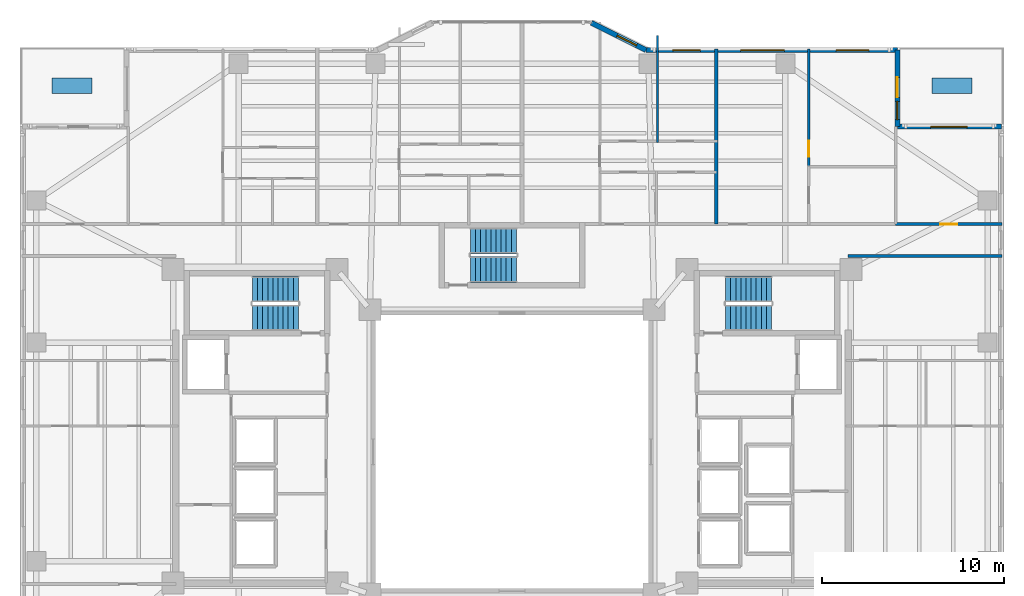
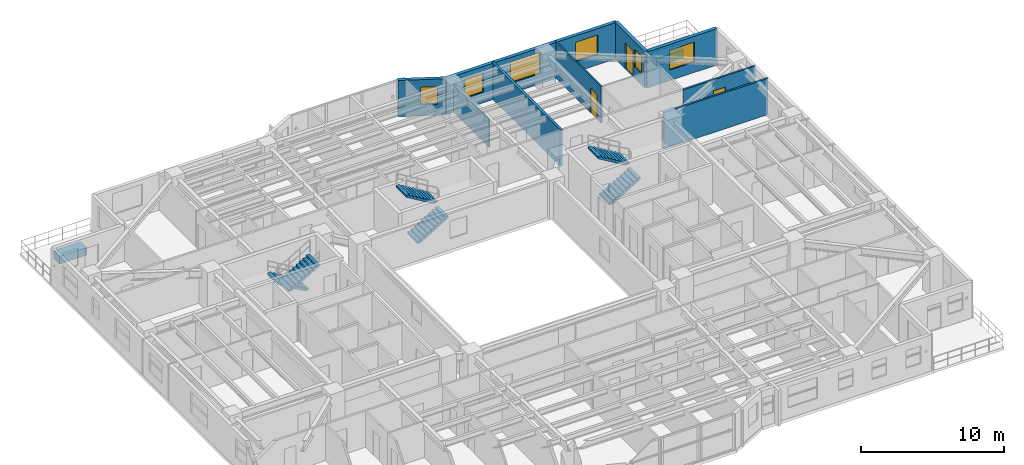
# One storey, part 12 of 19: 9 walls, 6 stair flights, 6 windows, 3 doors, 2 discrete accessories, 9 openings, 3 elements without a shape of their own.
"""IFC4 building model written with IfcOpenShell, lengths in metres."""

from ifc_helpers import new_model, si_unit, direction, frame, frame_2d, origin, origin_2d, place, context, subcontext, project, spatial, polyline, rectangle, outline, extrude, material, layer, layer_set, type_object, element, fill, aggregate, save


model = new_model("IFC4")

# Units and contexts
model_context = context("Model", 3, precision=1e-05, world=origin(), true_north=direction((0.0, 1.0)))
body_context = subcontext(model_context, "Body", "Model", "MODEL_VIEW")
ifc_project = project(units=[si_unit("LENGTHUNIT", "METRE"), si_unit("AREAUNIT", "SQUARE_METRE"), si_unit("VOLUMEUNIT", "CUBIC_METRE"), si_unit("PLANEANGLEUNIT", "RADIAN"), si_unit("MASSUNIT", "GRAM", prefix="KILO")], contexts=[model_context])

# Site, building, storey
site_placement = place(None, origin())
site = spatial("IfcSite", under=ifc_project, at=site_placement, CompositionType="ELEMENT")
building_placement = place(site_placement, origin())
building = spatial("IfcBuilding", under=site, at=building_placement, Name="Tarnavaz Court Tower", CompositionType="ELEMENT")
storey_placement = place(building_placement, frame((0.0, 0.0, 78.300048828125)))
storey = spatial("IfcBuildingStorey", under=building, at=storey_placement, Name="L20", CompositionType="ELEMENT", Elevation=78.300048828125)

# Wall, opening, window
ifc_material_1 = material(Name="Precast Concrete C40/50", Category="concrete")
ifc_layer_1 = layer(ifc_material_1, 0.280029296875)
ifc_layer_set_1 = layer_set([ifc_layer_1], Name="Precast Concrete C40/50")
wall_type_1 = type_object("IfcWallType", Name="WL-EXT-280", PredefinedType="SOLIDWALL", material=ifc_layer_set_1)
wall_1_placement = place(storey_placement, frame((4.35009765625, 23.550048828125, 0.0), z_axis=(0.0, 0.0, 1.0), x_axis=(0.894427191, -0.4472135955, 0.0)))
wall_1 = element("IfcWall", 1, at=wall_1_placement, inside=storey, type_object=wall_type_1, Name="L20 Exterior Terracotta Facade Wall 08", PredefinedType="SOLIDWALL", context=body_context, shape_type="SweptSolid", body=[
    extrude(rectangle(XDim=3.35400390625, YDim=0.280029296875, at=frame_2d((1.677001953125, 0.0))), origin(), (0.0, 0.0, 1.0), 3.099853515625),
])
opening_1_placement = place(wall_1_placement, frame((1.582763671875, 0.0, 0.949951171875)))
opening_1 = element("IfcOpeningElement", 2, at=opening_1_placement, cuts=wall_1, Name="Opening W05", PredefinedType="OPENING", context=body_context, shape_type="SweptSolid", body=[
    extrude(rectangle(XDim=1.199951171875, YDim=1.5, at=frame_2d((0.60009765625, 0.75))), frame((0.0, 0.14990234375, 0.0), z_axis=(0.0, -1.0, 0.0), x_axis=(1.0, 0.0, 0.0)), (0.0, 0.0, 1.0), 0.300048828125),
])
ifc_material_2 = material(Name="Double-Glazed Solar Low-E Glass", Category="glass")
window_type_1 = type_object("IfcWindowType", Name="WN-APT-1200", PartitioningType="SINGLE_PANEL", PredefinedType="WINDOW", material=ifc_material_2)
window_1_placement = place(opening_1_placement, origin())
window_1 = element("IfcWindow", 3, at=window_1_placement, inside=storey, type_object=window_type_1, Name="L20 Flat 03 Principal Bedroom Window", OverallHeight=1.5, OverallWidth=1.199951171875, PartitioningType="SINGLE_PANEL", PredefinedType="WINDOW", context=body_context, shape_type="SweptSolid", body=[
    extrude(rectangle(XDim=1.199951171875, YDim=1.5, at=frame_2d((0.60009765625, 0.75))), frame((0.0, 0.030029296875, 0.0), z_axis=(0.0, -1.0, 0.0), x_axis=(1.0, 0.0, 0.0)), (0.0, 0.0, 1.0), 0.06005859375),
])
fill(opening_1, window_1)

# Wall, openings, windows
wall_2_placement = place(storey_placement, frame((7.35009765625, 22.050048828125, 0.0), z_axis=(0.0, 0.0, 1.0), x_axis=(1.0, 0.0, 0.0)))
wall_2 = element("IfcWall", 4, at=wall_2_placement, inside=storey, type_object=wall_type_1, Name="L20 Exterior Terracotta Facade Wall 09", PredefinedType="SOLIDWALL", context=body_context, shape_type="SweptSolid", body=[
    extrude(rectangle(XDim=13.7998046875, YDim=0.280029296875, at=frame_2d((6.89990234375, 0.0))), origin(), (0.0, 0.0, 1.0), 3.099853515625),
])
opening_2_placement = place(wall_2_placement, frame((1.483154296875, 0.0, 0.89990234375)))
opening_2 = element("IfcOpeningElement", 5, at=opening_2_placement, cuts=wall_2, Name="Opening W03", PredefinedType="OPENING", context=body_context, shape_type="SweptSolid", body=[
    extrude(rectangle(XDim=1.5, YDim=1.64990234375, at=frame_2d((0.75, 0.824951171875))), frame((0.0, 0.14990234375, 0.0), z_axis=(0.0, -1.0, 0.0), x_axis=(1.0, 0.0, 0.0)), (0.0, 0.0, 1.0), 0.300048828125),
])
opening_3_placement = place(wall_2_placement, frame((5.1982421875, 0.0, 0.89990234375)))
opening_3 = element("IfcOpeningElement", 6, at=opening_3_placement, cuts=wall_2, Name="Opening W06", PredefinedType="OPENING", context=body_context, shape_type="SweptSolid", body=[
    extrude(rectangle(XDim=2.39990234375, YDim=1.800048828125, at=frame_2d((1.199951171875, 0.89990234375))), frame((0.0, 0.14990234375, 0.0), z_axis=(0.0, -1.0, 0.0), x_axis=(1.0, 0.0, 0.0)), (0.0, 0.0, 1.0), 0.300048828125),
])
opening_4_placement = place(wall_2_placement, frame((10.441162109375, 0.0, 0.89990234375)))
opening_4 = element("IfcOpeningElement", 7, at=opening_4_placement, cuts=wall_2, Name="Opening W01", PredefinedType="OPENING", context=body_context, shape_type="SweptSolid", body=[
    extrude(rectangle(XDim=1.800048828125, YDim=1.64990234375, at=frame_2d((0.89990234375, 0.824951171875))), frame((0.0, 0.14990234375, 0.0), z_axis=(0.0, -1.0, 0.0), x_axis=(1.0, 0.0, 0.0)), (0.0, 0.0, 1.0), 0.300048828125),
])
window_type_2 = type_object("IfcWindowType", Name="WN-APT-1500", PartitioningType="DOUBLE_PANEL_VERTICAL", PredefinedType="WINDOW", material=ifc_material_2)
window_2_placement = place(opening_2_placement, origin())
window_2 = element("IfcWindow", 8, at=window_2_placement, inside=storey, type_object=window_type_2, Name="L20 Flat 03 Bedroom 2 Window", OverallHeight=1.64990234375, OverallWidth=1.5, PartitioningType="SINGLE_PANEL", PredefinedType="WINDOW", context=body_context, shape_type="SweptSolid", body=[
    extrude(rectangle(XDim=1.5, YDim=1.64990234375, at=frame_2d((0.75, 0.824951171875))), frame((0.0, 0.030029296875, 0.0), z_axis=(0.0, -1.0, 0.0), x_axis=(1.0, 0.0, 0.0)), (0.0, 0.0, 1.0), 0.06005859375),
])
fill(opening_2, window_2)
window_type_3 = type_object("IfcWindowType", Name="WN-APT-1800", PartitioningType="DOUBLE_PANEL_VERTICAL", PredefinedType="WINDOW", material=ifc_material_2)
window_3_placement = place(opening_4_placement, origin())
window_3 = element("IfcWindow", 9, at=window_3_placement, inside=storey, type_object=window_type_3, Name="L20 Flat 04 Kitchen Window", OverallHeight=1.64990234375, OverallWidth=1.800048828125, PartitioningType="SINGLE_PANEL", PredefinedType="WINDOW", context=body_context, shape_type="SweptSolid", body=[
    extrude(rectangle(XDim=1.800048828125, YDim=1.64990234375, at=frame_2d((0.89990234375, 0.824951171875))), frame((0.0, 0.030029296875, 0.0), z_axis=(0.0, -1.0, 0.0), x_axis=(1.0, 0.0, 0.0)), (0.0, 0.0, 1.0), 0.06005859375),
])
fill(opening_4, window_3)
window_type_4 = type_object("IfcWindowType", Name="WN-APT-2400", PartitioningType="TRIPLE_PANEL_VERTICAL", PredefinedType="WINDOW", material=ifc_material_2)
window_4_placement = place(opening_3_placement, origin())
window_4 = element("IfcWindow", 10, at=window_4_placement, inside=storey, type_object=window_type_4, Name="L20 Flat 04 Studio Living and Sleeping Room Window", OverallHeight=1.800048828125, OverallWidth=2.39990234375, PartitioningType="SINGLE_PANEL", PredefinedType="WINDOW", context=body_context, shape_type="SweptSolid", body=[
    extrude(rectangle(XDim=2.39990234375, YDim=1.800048828125, at=frame_2d((1.199951171875, 0.89990234375))), frame((0.0, 0.030029296875, 0.0), z_axis=(0.0, -1.0, 0.0), x_axis=(1.0, 0.0, 0.0)), (0.0, 0.0, 1.0), 0.06005859375),
])
fill(opening_3, window_4)

# Wall, openings, door, window
wall_3_placement = place(storey_placement, frame((21.14990234375, 22.050048828125, 0.0), z_axis=(0.0, 0.0, 1.0), x_axis=(0.0, -1.0, 0.0)))
wall_3 = element("IfcWall", 11, at=wall_3_placement, inside=storey, type_object=wall_type_1, Name="L20 Exterior Terracotta Facade Wall 10", PredefinedType="SOLIDWALL", context=body_context, shape_type="SweptSolid", body=[
    extrude(rectangle(XDim=4.199951171875, YDim=0.280029296875, at=frame_2d((2.10009765625, 0.0))), origin(), (0.0, 0.0, 1.0), 3.099853515625),
])
opening_5_placement = place(wall_3_placement, frame((1.5, 0.0, 0.0)))
opening_5 = element("IfcOpeningElement", 12, at=opening_5_placement, cuts=wall_3, Name="Opening TD1", PredefinedType="OPENING", context=body_context, shape_type="SweptSolid", body=[
    extrude(rectangle(XDim=1.10009765625, YDim=2.199951171875, at=frame_2d((0.550048828125, 1.10009765625))), frame((0.0, 0.14990234375, 0.0), z_axis=(0.0, -1.0, 0.0), x_axis=(1.0, 0.0, 0.0)), (0.0, 0.0, 1.0), 0.300048828125),
])
opening_6_placement = place(wall_3_placement, frame((2.8125, 0.0, 0.949951171875)))
opening_6 = element("IfcOpeningElement", 13, at=opening_6_placement, cuts=wall_3, Name="Opening W14", PredefinedType="OPENING", context=body_context, shape_type="SweptSolid", body=[
    extrude(rectangle(XDim=1.0, YDim=1.5, at=frame_2d((0.5, 0.75))), frame((0.0, 0.14990234375, 0.0), z_axis=(0.0, -1.0, 0.0), x_axis=(1.0, 0.0, 0.0)), (0.0, 0.0, 1.0), 0.300048828125),
])
ifc_material_3 = material(Name="Thermally Broken Aluminium and Laminated Glass", Category="aluminium")
door_type_1 = type_object("IfcDoorType", Name="DR-TERR-1100", OperationType="NOTDEFINED", PredefinedType="DOOR", material=ifc_material_3)
door_1_placement = place(opening_5_placement, origin())
door_1 = element("IfcDoor", 14, at=door_1_placement, inside=storey, type_object=door_type_1, Name="L20 Sky Terrace Access Door 1", OperationType="SINGLE_SWING_LEFT", OverallHeight=2.199951171875, OverallWidth=1.10009765625, PredefinedType="DOOR", context=body_context, shape_type="SweptSolid", body=[
    extrude(rectangle(XDim=1.10009765625, YDim=2.199951171875, at=frame_2d((0.550048828125, 1.10009765625))), frame((0.0, 0.02490234375, 0.0), z_axis=(0.0, -1.0, 0.0), x_axis=(1.0, 0.0, 0.0)), (0.0, 0.0, 1.0), 0.050048828125),
])
fill(opening_5, door_1)
window_type_5 = type_object("IfcWindowType", Name="WN-APT-1000", PartitioningType="SINGLE_PANEL", PredefinedType="WINDOW", material=ifc_material_2)
window_5_placement = place(opening_6_placement, origin())
window_5 = element("IfcWindow", 15, at=window_5_placement, inside=storey, type_object=window_type_5, Name="L20 Flat 04 Kitchen Window", OverallHeight=1.5, OverallWidth=1.0, PartitioningType="SINGLE_PANEL", PredefinedType="WINDOW", context=body_context, shape_type="SweptSolid", body=[
    extrude(rectangle(XDim=1.0, YDim=1.5, at=frame_2d((0.5, 0.75))), frame((0.0, 0.030029296875, 0.0), z_axis=(0.0, -1.0, 0.0), x_axis=(1.0, 0.0, 0.0)), (0.0, 0.0, 1.0), 0.06005859375),
])
fill(opening_6, window_5)

# Wall, opening, window
wall_4_placement = place(storey_placement, frame((21.14990234375, 17.85009765625, 0.0), z_axis=(0.0, 0.0, 1.0), x_axis=(1.0, 0.0, 0.0)))
wall_4 = element("IfcWall", 16, at=wall_4_placement, inside=storey, type_object=wall_type_1, Name="L20 Exterior Terracotta Facade Wall 11", PredefinedType="SOLIDWALL", context=body_context, shape_type="SweptSolid", body=[
    extrude(rectangle(XDim=5.7001953125, YDim=0.280029296875, at=frame_2d((2.85009765625, 0.0))), origin(), (0.0, 0.0, 1.0), 3.099853515625),
])
opening_7_placement = place(wall_4_placement, frame((1.824951171875, 0.0, 0.89990234375)))
opening_7 = element("IfcOpeningElement", 17, at=opening_7_placement, cuts=wall_4, Name="Opening W08", PredefinedType="OPENING", context=body_context, shape_type="SweptSolid", body=[
    extrude(rectangle(XDim=2.0, YDim=1.699951171875, at=frame_2d((1.0, 0.85009765625))), frame((0.0, 0.14990234375, 0.0), z_axis=(0.0, -1.0, 0.0), x_axis=(1.0, 0.0, 0.0)), (0.0, 0.0, 1.0), 0.300048828125),
])
window_type_6 = type_object("IfcWindowType", Name="WN-APT-2000", PartitioningType="DOUBLE_PANEL_VERTICAL", PredefinedType="WINDOW", material=ifc_material_2)
window_6_placement = place(opening_7_placement, origin())
window_6 = element("IfcWindow", 18, at=window_6_placement, inside=storey, type_object=window_type_6, Name="L20 North-East Corner Sunroom Study Window", OverallHeight=1.699951171875, OverallWidth=2.0, PartitioningType="SINGLE_PANEL", PredefinedType="WINDOW", context=body_context, shape_type="SweptSolid", body=[
    extrude(rectangle(XDim=2.0, YDim=1.699951171875, at=frame_2d((1.0, 0.85009765625))), frame((0.0, 0.030029296875, 0.0), z_axis=(0.0, -1.0, 0.0), x_axis=(1.0, 0.0, 0.0)), (0.0, 0.0, 1.0), 0.06005859375),
])
fill(opening_7, window_6)

# Wall
ifc_material_4 = material(Name="Gypsum Fire-Board on Acoustic Metal Stud", Category="masonry")
ifc_layer_2 = layer(ifc_material_4, 0.14990234375)
ifc_layer_set_2 = layer_set([ifc_layer_2], Name="Gypsum Fire-Board on Acoustic Metal Stud")
wall_type_2 = type_object("IfcWallType", Name="WL-FIRE-150", PredefinedType="PARTITIONING", material=ifc_layer_set_2)
wall_5_placement = place(storey_placement, frame((18.449951171875, 10.75, 0.0), z_axis=(0.0, 0.0, 1.0), x_axis=(1.0, 0.0, 0.0)))
element("IfcWall", 19, at=wall_5_placement, inside=storey, type_object=wall_type_2, Name="L20 Interior Partition 125", PredefinedType="PARTITIONING", context=body_context, shape_type="SweptSolid", body=[
    extrude(rectangle(XDim=8.429931640625, YDim=0.14990234375, at=frame_2d((4.21484375, 0.0))), origin(), (0.0, 0.0, 1.0), 3.099853515625),
])

# Wall, opening, door
wall_6_placement = place(storey_placement, frame((21.050048828125, 12.5, 0.0), z_axis=(0.0, 0.0, 1.0), x_axis=(1.0, 0.0, 0.0)))
wall_6 = element("IfcWall", 20, at=wall_6_placement, inside=storey, type_object=wall_type_2, Name="L20 Interior Partition 131", PredefinedType="PARTITIONING", context=body_context, shape_type="SweptSolid", body=[
    extrude(rectangle(XDim=5.829833984375, YDim=0.14990234375, at=frame_2d((2.9150390625, 0.0))), origin(), (0.0, 0.0, 1.0), 3.099853515625),
])
opening_8_placement = place(wall_6_placement, frame((2.43994140625, 0.0, 0.0)))
opening_8 = element("IfcOpeningElement", 21, at=opening_8_placement, cuts=wall_6, Name="Opening D13", PredefinedType="OPENING", context=body_context, shape_type="SweptSolid", body=[
    extrude(rectangle(XDim=0.949951171875, YDim=2.14990234375, at=frame_2d((0.47509765625, 1.074951171875))), frame((0.0, 0.0849609375, 0.0), z_axis=(0.0, -1.0, 0.0), x_axis=(1.0, 0.0, 0.0)), (0.0, 0.0, 1.0), 0.169921875),
])
ifc_material_5 = material(Name="Engineered Oak Timber", Category="wood")
door_type_2 = type_object("IfcDoorType", Name="DR-INT-950", OperationType="NOTDEFINED", PredefinedType="DOOR", material=ifc_material_5)
door_2_placement = place(opening_8_placement, origin())
door_2 = element("IfcDoor", 22, at=door_2_placement, inside=storey, type_object=door_type_2, Name="L20 NE Sunroom Door", OperationType="SINGLE_SWING_RIGHT", OverallHeight=2.14990234375, OverallWidth=0.949951171875, PredefinedType="DOOR", context=body_context, shape_type="SweptSolid", body=[
    extrude(rectangle(XDim=0.949951171875, YDim=2.14990234375, at=frame_2d((0.47509765625, 1.074951171875))), frame((0.0, 0.02490234375, 0.0), z_axis=(0.0, -1.0, 0.0), x_axis=(1.0, 0.0, 0.0)), (0.0, 0.0, 1.0), 0.050048828125),
])
fill(opening_8, door_2)

# Walls
ifc_material_6 = material(Name="Autoclaved Aerated Concrete Blockwork", Category="masonry")
ifc_layer_3 = layer(ifc_material_6, 0.199951171875)
ifc_layer_set_3 = layer_set([ifc_layer_3], Name="Autoclaved Aerated Concrete Blockwork")
wall_type_3 = type_object("IfcWallType", Name="WL-FIRE-200", PredefinedType="SOLIDWALL", material=ifc_layer_set_3)
wall_7_placement = place(storey_placement, frame((11.2099609375, 12.5, 0.0), z_axis=(0.0, 0.0, 1.0), x_axis=(0.0, 1.0, 0.0)))
element("IfcWall", 23, at=wall_7_placement, inside=storey, type_object=wall_type_3, Name="L20 Party Wall 088", PredefinedType="SOLIDWALL", context=body_context, shape_type="SweptSolid", body=[
    extrude(rectangle(XDim=9.60009765625, YDim=0.199951171875, at=frame_2d((4.800048828125, 0.0))), origin(), (0.0, 0.0, 1.0), 3.099853515625),
])
ifc_material_7 = material(Name="Moisture-Resistant Gypsum Board Partition", Category="masonry")
ifc_layer_4 = layer(ifc_material_7, 0.1201171875)
ifc_layer_set_4 = layer_set([ifc_layer_4], Name="Moisture-Resistant Gypsum Board Partition")
wall_type_4 = type_object("IfcWallType", Name="WL-PART-120", PredefinedType="PARTITIONING", material=ifc_layer_set_4)
wall_8_placement = place(storey_placement, frame((7.988037109375, 16.989990234375, 0.0), z_axis=(0.0, 0.0, 1.0), x_axis=(0.0, 1.0, 0.0)))
element("IfcWall", 24, at=wall_8_placement, inside=storey, type_object=wall_type_4, Name="L20 Interior Partition 094", PredefinedType="PARTITIONING", context=body_context, shape_type="SweptSolid", body=[
    extrude(rectangle(XDim=5.85302734375, YDim=0.1201171875, at=frame_2d((2.926513671875, 0.0))), origin(), (0.0, 0.0, 1.0), 2.43505859375),
])

# Wall, opening, door
wall_9_placement = place(storey_placement, frame((16.2900390625, 15.64990234375, 0.0), z_axis=(0.0, 0.0, 1.0), x_axis=(0.0, 1.0, 0.0)))
wall_9 = element("IfcWall", 25, at=wall_9_placement, inside=storey, type_object=wall_type_4, Name="L20 Interior Partition 096", PredefinedType="PARTITIONING", context=body_context, shape_type="SweptSolid", body=[
    extrude(rectangle(XDim=6.4501953125, YDim=0.1201171875, at=frame_2d((3.22509765625, 0.0))), origin(), (0.0, 0.0, 1.0), 3.099853515625),
])
opening_9_placement = place(wall_9_placement, frame((0.550048828125, 0.0, 0.0)))
opening_9 = element("IfcOpeningElement", 26, at=opening_9_placement, cuts=wall_9, Name="Opening D14", PredefinedType="OPENING", context=body_context, shape_type="SweptSolid", body=[
    extrude(rectangle(XDim=0.8798828125, YDim=2.10009765625, at=frame_2d((0.43994140625, 1.050048828125))), frame((0.0, 0.070068359375, 0.0), z_axis=(0.0, -1.0, 0.0), x_axis=(1.0, 0.0, 0.0)), (0.0, 0.0, 1.0), 0.14013671875),
])
door_type_3 = type_object("IfcDoorType", Name="DR-INT-900", OperationType="NOTDEFINED", PredefinedType="DOOR", material=ifc_material_5)
door_3_placement = place(opening_9_placement, origin())
door_3 = element("IfcDoor", 27, at=door_3_placement, inside=storey, type_object=door_type_3, Name="L20 Flat 04 Kitchen Door", OperationType="SINGLE_SWING_RIGHT", OverallHeight=2.10009765625, OverallWidth=0.8798828125, PredefinedType="DOOR", context=body_context, shape_type="SweptSolid", body=[
    extrude(rectangle(XDim=0.8798828125, YDim=2.10009765625, at=frame_2d((0.43994140625, 1.050048828125))), frame((0.0, 0.02490234375, 0.0), z_axis=(0.0, -1.0, 0.0), x_axis=(1.0, 0.0, 0.0)), (0.0, 0.0, 1.0), 0.050048828125),
])
fill(opening_9, door_3)

# Stair, stair flights
ifc_material_8 = material(Name="Concrete C40/50", Category="concrete")
stair_type = type_object("IfcStairType", Name="ST-TWR-20R", PredefinedType="HALF_TURN_STAIR", material=ifc_material_8)
stair_1_placement = place(storey_placement, origin())
stair_1 = element("IfcStair", 28, at=stair_1_placement, inside=storey, type_object=stair_type, Name="L20 West Core Pressurized Exit Stair ST-W1", PredefinedType="HALF_TURN_STAIR")
stair_flight_type = type_object("IfcStairFlightType", Name="SFL-RC-20R", PredefinedType="STRAIGHT", material=ifc_material_8)
stair_flight_1_placement = place(storey_placement, frame((-11.719970703125, 8.929931640625, 0.0), z_axis=(0.0, 0.0, 1.0), x_axis=(-1.0, 0.0, 0.0)))
stair_flight_1 = element("IfcStairFlight", 29, at=stair_flight_1_placement, type_object=stair_flight_type, Name="ST-W1 flight 1", NumberOfRisers=10, NumberOfTreads=9, PredefinedType="STRAIGHT", RiserHeight=0.1675, TreadLength=0.28, context=body_context, shape_type="SweptSolid", body=[
    extrude(outline(polyline([(0.0, 0.0), (0.0, 0.16748046875), (0.280029296875, 0.16748046875), (0.280029296875, 0.3349609375), (0.56005859375, 0.3349609375), (0.56005859375, 0.50244140625), (0.840087890625, 0.50244140625), (0.840087890625, 0.669921875), (1.1201171875, 0.669921875), (1.1201171875, 0.83740234375), (1.39990234375, 0.83740234375), (1.39990234375, 1.0048828125), (1.679931640625, 1.0048828125), (1.679931640625, 1.172607421875), (1.9599609375, 1.172607421875), (1.9599609375, 1.340087890625), (2.239990234375, 1.340087890625), (2.239990234375, 1.507568359375), (2.52001953125, 1.507568359375), (2.52001953125, 1.675048828125), (2.52001953125, 1.332763671875), (0.2919921875, 0.0), (0.0, 0.0)])), frame((0.0, 0.7099609375, 0.0), z_axis=(0.0, -1.0, 0.0), x_axis=(1.0, 0.0, 0.0)), (0.0, 0.0, 1.0), 1.419921875),
])
stair_flight_2_placement = place(storey_placement, frame((-14.239990234375, 7.360107421875, 1.675048828125), z_axis=(0.0, 0.0, 1.0), x_axis=(1.0, 0.0, 0.0)))
stair_flight_2 = element("IfcStairFlight", 30, at=stair_flight_2_placement, type_object=stair_flight_type, Name="ST-W1 flight 2", NumberOfRisers=10, NumberOfTreads=9, PredefinedType="STRAIGHT", RiserHeight=0.1675, TreadLength=0.28, context=body_context, shape_type="SweptSolid", body=[
    extrude(outline(polyline([(0.0, 0.0), (0.0, 0.16748046875), (0.280029296875, 0.16748046875), (0.280029296875, 0.3349609375), (0.56005859375, 0.3349609375), (0.56005859375, 0.50244140625), (0.840087890625, 0.50244140625), (0.840087890625, 0.669921875), (1.1201171875, 0.669921875), (1.1201171875, 0.83740234375), (1.39990234375, 0.83740234375), (1.39990234375, 1.0048828125), (1.679931640625, 1.0048828125), (1.679931640625, 1.172607421875), (1.9599609375, 1.172607421875), (1.9599609375, 1.340087890625), (2.239990234375, 1.340087890625), (2.239990234375, 1.507568359375), (2.52001953125, 1.507568359375), (2.52001953125, 1.675048828125), (2.52001953125, 1.332763671875), (0.2919921875, 0.0), (0.0, 0.0)])), frame((0.0, 0.7099609375, 0.0), z_axis=(0.0, -1.0, 0.0), x_axis=(1.0, 0.0, 0.0)), (0.0, 0.0, 1.0), 1.419921875),
])
aggregate(stair_1, [stair_flight_1, stair_flight_2])

stair_2_placement = place(storey_placement, origin())
stair_2 = element("IfcStair", 31, at=stair_2_placement, inside=storey, type_object=stair_type, Name="L20 East Core Pressurized Exit Stair ST-E1", PredefinedType="HALF_TURN_STAIR")
stair_flight_3_placement = place(storey_placement, frame((11.719970703125, 7.360107421875, 0.0), z_axis=(0.0, 0.0, 1.0), x_axis=(1.0, 0.0, 0.0)))
stair_flight_3 = element("IfcStairFlight", 32, at=stair_flight_3_placement, type_object=stair_flight_type, Name="ST-E1 flight 1", NumberOfRisers=10, NumberOfTreads=9, PredefinedType="STRAIGHT", RiserHeight=0.1675, TreadLength=0.28, context=body_context, shape_type="SweptSolid", body=[
    extrude(outline(polyline([(0.0, 0.0), (0.0, 0.16748046875), (0.280029296875, 0.16748046875), (0.280029296875, 0.3349609375), (0.56005859375, 0.3349609375), (0.56005859375, 0.50244140625), (0.840087890625, 0.50244140625), (0.840087890625, 0.669921875), (1.1201171875, 0.669921875), (1.1201171875, 0.83740234375), (1.39990234375, 0.83740234375), (1.39990234375, 1.0048828125), (1.679931640625, 1.0048828125), (1.679931640625, 1.172607421875), (1.9599609375, 1.172607421875), (1.9599609375, 1.340087890625), (2.239990234375, 1.340087890625), (2.239990234375, 1.507568359375), (2.52001953125, 1.507568359375), (2.52001953125, 1.675048828125), (2.52001953125, 1.332763671875), (0.2919921875, 0.0), (0.0, 0.0)])), frame((0.0, 0.7099609375, 0.0), z_axis=(0.0, -1.0, 0.0), x_axis=(1.0, 0.0, 0.0)), (0.0, 0.0, 1.0), 1.419921875),
])
stair_flight_4_placement = place(storey_placement, frame((14.239990234375, 8.929931640625, 1.675048828125), z_axis=(0.0, 0.0, 1.0), x_axis=(-1.0, 0.0, 0.0)))
stair_flight_4 = element("IfcStairFlight", 33, at=stair_flight_4_placement, type_object=stair_flight_type, Name="ST-E1 flight 2", NumberOfRisers=10, NumberOfTreads=9, PredefinedType="STRAIGHT", RiserHeight=0.1675, TreadLength=0.28, context=body_context, shape_type="SweptSolid", body=[
    extrude(outline(polyline([(0.0, 0.0), (0.0, 0.16748046875), (0.280029296875, 0.16748046875), (0.280029296875, 0.3349609375), (0.56005859375, 0.3349609375), (0.56005859375, 0.50244140625), (0.840087890625, 0.50244140625), (0.840087890625, 0.669921875), (1.1201171875, 0.669921875), (1.1201171875, 0.83740234375), (1.39990234375, 0.83740234375), (1.39990234375, 1.0048828125), (1.679931640625, 1.0048828125), (1.679931640625, 1.172607421875), (1.9599609375, 1.172607421875), (1.9599609375, 1.340087890625), (2.239990234375, 1.340087890625), (2.239990234375, 1.507568359375), (2.52001953125, 1.507568359375), (2.52001953125, 1.675048828125), (2.52001953125, 1.332763671875), (0.2919921875, 0.0), (0.0, 0.0)])), frame((0.0, 0.7099609375, 0.0), z_axis=(0.0, -1.0, 0.0), x_axis=(1.0, 0.0, 0.0)), (0.0, 0.0, 1.0), 1.419921875),
])
aggregate(stair_2, [stair_flight_3, stair_flight_4])

stair_3_placement = place(storey_placement, origin())
stair_3 = element("IfcStair", 34, at=stair_3_placement, inside=storey, type_object=stair_type, Name="L20 North Ring Pressurized Exit Stair ST-N1", PredefinedType="HALF_TURN_STAIR")
stair_flight_5_placement = place(storey_placement, frame((-2.280029296875, 10.010009765625, 0.0), z_axis=(0.0, 0.0, 1.0), x_axis=(1.0, 0.0, 0.0)))
stair_flight_5 = element("IfcStairFlight", 35, at=stair_flight_5_placement, type_object=stair_flight_type, Name="ST-N1 flight 1", NumberOfRisers=10, NumberOfTreads=9, PredefinedType="STRAIGHT", RiserHeight=0.1675, TreadLength=0.28, context=body_context, shape_type="SweptSolid", body=[
    extrude(outline(polyline([(0.0, 0.0), (0.0, 0.16748046875), (0.280029296875, 0.16748046875), (0.280029296875, 0.3349609375), (0.56005859375, 0.3349609375), (0.56005859375, 0.50244140625), (0.840087890625, 0.50244140625), (0.840087890625, 0.669921875), (1.1201171875, 0.669921875), (1.1201171875, 0.83740234375), (1.39990234375, 0.83740234375), (1.39990234375, 1.0048828125), (1.679931640625, 1.0048828125), (1.679931640625, 1.172607421875), (1.9599609375, 1.172607421875), (1.9599609375, 1.340087890625), (2.239990234375, 1.340087890625), (2.239990234375, 1.507568359375), (2.52001953125, 1.507568359375), (2.52001953125, 1.675048828125), (2.52001953125, 1.332763671875), (0.2919921875, 0.0), (0.0, 0.0)])), frame((0.0, 0.7099609375, 0.0), z_axis=(0.0, -1.0, 0.0), x_axis=(1.0, 0.0, 0.0)), (0.0, 0.0, 1.0), 1.419921875),
])
stair_flight_6_placement = place(storey_placement, frame((0.239990234375, 11.580078125, 1.675048828125), z_axis=(0.0, 0.0, 1.0), x_axis=(-1.0, 0.0, 0.0)))
stair_flight_6 = element("IfcStairFlight", 36, at=stair_flight_6_placement, type_object=stair_flight_type, Name="ST-N1 flight 2", NumberOfRisers=10, NumberOfTreads=9, PredefinedType="STRAIGHT", RiserHeight=0.1675, TreadLength=0.28, context=body_context, shape_type="SweptSolid", body=[
    extrude(outline(polyline([(0.0, 0.0), (0.0, 0.16748046875), (0.280029296875, 0.16748046875), (0.280029296875, 0.3349609375), (0.56005859375, 0.3349609375), (0.56005859375, 0.50244140625), (0.840087890625, 0.50244140625), (0.840087890625, 0.669921875), (1.1201171875, 0.669921875), (1.1201171875, 0.83740234375), (1.39990234375, 0.83740234375), (1.39990234375, 1.0048828125), (1.679931640625, 1.0048828125), (1.679931640625, 1.172607421875), (1.9599609375, 1.172607421875), (1.9599609375, 1.340087890625), (2.239990234375, 1.340087890625), (2.239990234375, 1.507568359375), (2.52001953125, 1.507568359375), (2.52001953125, 1.675048828125), (2.52001953125, 1.332763671875), (0.2919921875, 0.0), (0.0, 0.0)])), frame((0.0, 0.7099609375, 0.0), z_axis=(0.0, -1.0, 0.0), x_axis=(1.0, 0.0, 0.0)), (0.0, 0.0, 1.0), 1.419921875),
])
aggregate(stair_3, [stair_flight_5, stair_flight_6])

# Discrete accessories
ifc_material_9 = material(Name="Terracotta Architectural Planter Trough", Category="masonry")
discrete_accessory_type = type_object("IfcDiscreteAccessoryType", Name="DA-PLANTER-TC", PredefinedType="USERDEFINED", material=ifc_material_9)
for number, where, z_axis, x_axis, name in (
    (37, (24.14990234375, 20.10009765625, 0.0), (0.0, 0.0, 1.0), (1.0, 0.0, 0.0), "L20 Chahar-Bagh Terracotta Landscape Planter 1"),
    (38, (-24.14990234375, 20.10009765625, 0.0), (0.0, 0.0, 1.0), (1.0, 0.0, 0.0), "L20 Chahar-Bagh Terracotta Landscape Planter 2"),
):
    element("IfcDiscreteAccessory", number, at=place(storey_placement, frame(where, z_axis=z_axis, x_axis=x_axis)), inside=storey, type_object=discrete_accessory_type, Name=name, ObjectType="PLANTER", PredefinedType="USERDEFINED", context=body_context, shape_type="SweptSolid", body=[
        extrude(rectangle(XDim=2.199951171875, YDim=0.85009765625, at=origin_2d()), origin(), (0.0, 0.0, 1.0), 0.64990234375),
    ])

save(model, "model.ifc")
